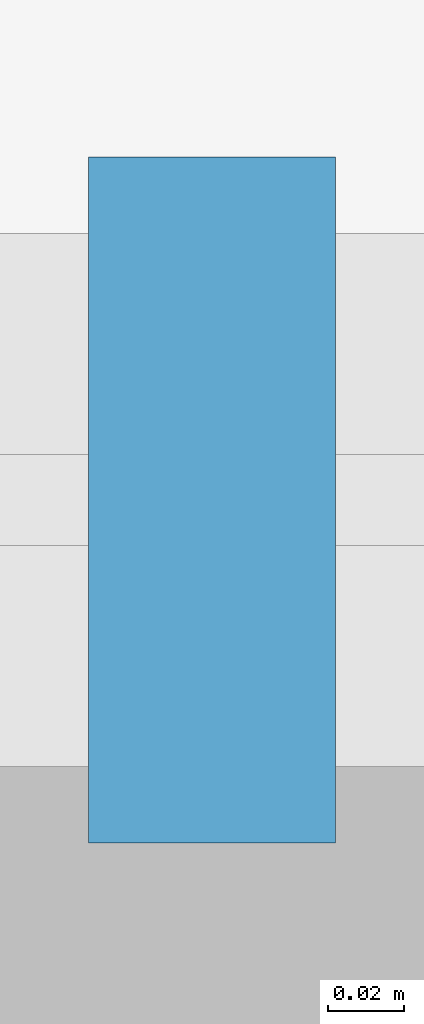
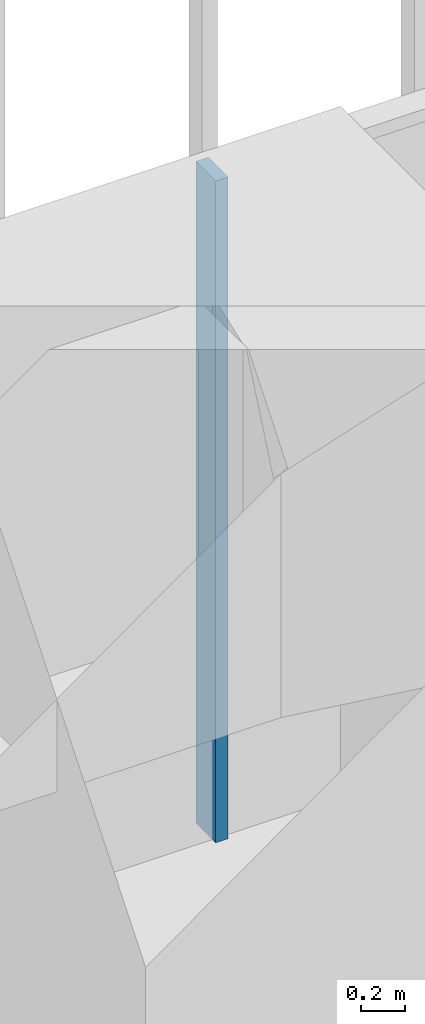
# One storey, part 234 of 256: 1 member, 1 element without a shape of its own.
"""IFC4 building model written with IfcOpenShell, lengths in metres."""

from ifc_helpers import new_model, si_unit, direction, frame, origin, origin_2d, place, context, subcontext, project, spatial, rectangle, extrude, material, material_profile, profile_set, type_object, element, aggregate, save


model = new_model("IFC4")

# Units and contexts
model_context = context("Model", 3, precision=1e-05, world=origin(), true_north=direction((0.0, 1.0)))
body_context = subcontext(model_context, "Body", "Model", "MODEL_VIEW")
ifc_project = project(units=[si_unit("LENGTHUNIT", "METRE"), si_unit("AREAUNIT", "SQUARE_METRE"), si_unit("VOLUMEUNIT", "CUBIC_METRE"), si_unit("PLANEANGLEUNIT", "RADIAN"), si_unit("MASSUNIT", "GRAM", prefix="KILO")], contexts=[model_context])

# Site, building, storey
site_placement = place(None, origin())
site = spatial("IfcSite", under=ifc_project, at=site_placement, CompositionType="ELEMENT")
building_placement = place(site_placement, origin())
building = spatial("IfcBuilding", under=site, at=building_placement, Name="Sandreach Pilgrim Tower", CompositionType="ELEMENT")
storey_placement = place(building_placement, frame((0.0, 0.0, 23.0)))
storey = spatial("IfcBuildingStorey", under=building, at=storey_placement, Name="L04", CompositionType="ELEMENT", Elevation=23.0)

# Curtain wall, member
ifc_material_1 = material(Name="Aluminium framed curtain wall", Category="aluminium")
curtain_wall_type = type_object("IfcCurtainWallType", Name="Hostel tower curtain wall", PredefinedType="NOTDEFINED", material=ifc_material_1)
curtain_wall_placement = place(storey_placement, origin())
curtain_wall = element("IfcCurtainWall", 1, at=curtain_wall_placement, inside=storey, type_object=curtain_wall_type, Name="CW-1 L04 N", PredefinedType="NOTDEFINED")
ifc_material_2 = material(Name="Aluminium extrusion", Category="aluminium")
ifc_material_profile = material_profile(ifc_material_2, rectangle(XDim=0.06494140625, YDim=0.179931640625, at=origin_2d()), Name="CW-1M 65X180")
ifc_profile_set = profile_set([ifc_material_profile], Name="Aluminium extrusion")
member_type = type_object("IfcMemberType", Name="CW-1 mullion", PredefinedType="MULLION", material=ifc_profile_set)
member_placement = place(storey_placement, frame((15.300537109375, 23.94873046875, 0.0), z_axis=(0.0, 0.0, 1.0), x_axis=(1.0, 0.0, 0.0)))
member = element("IfcMember", 2, at=member_placement, type_object=member_type, Name="CW-1 mullion 9", PredefinedType="MULLION", context=body_context, shape_type="SweptSolid", body=[
    extrude(rectangle(XDim=0.06494140625, YDim=0.179931640625, at=origin_2d()), origin(), (0.0, 0.0, 1.0), 3.639892578125),
])
aggregate(curtain_wall, [member])

save(model, "model.ifc")
